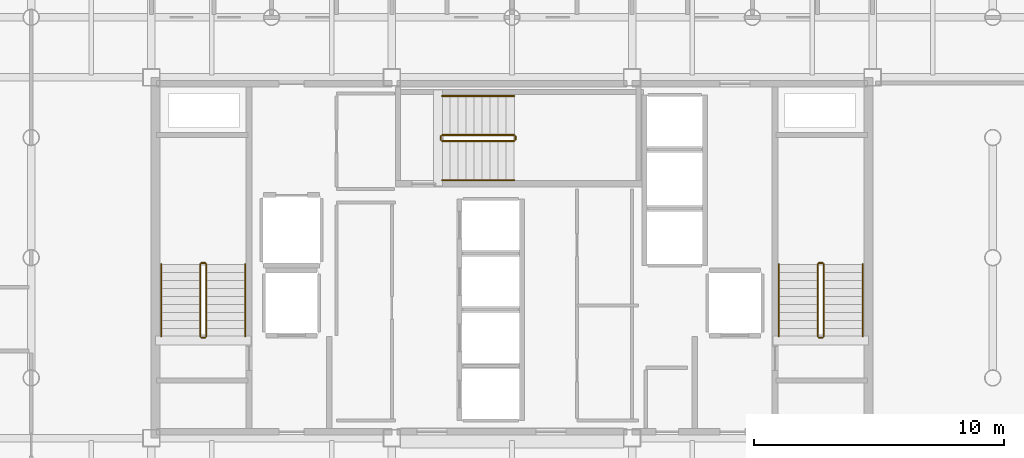
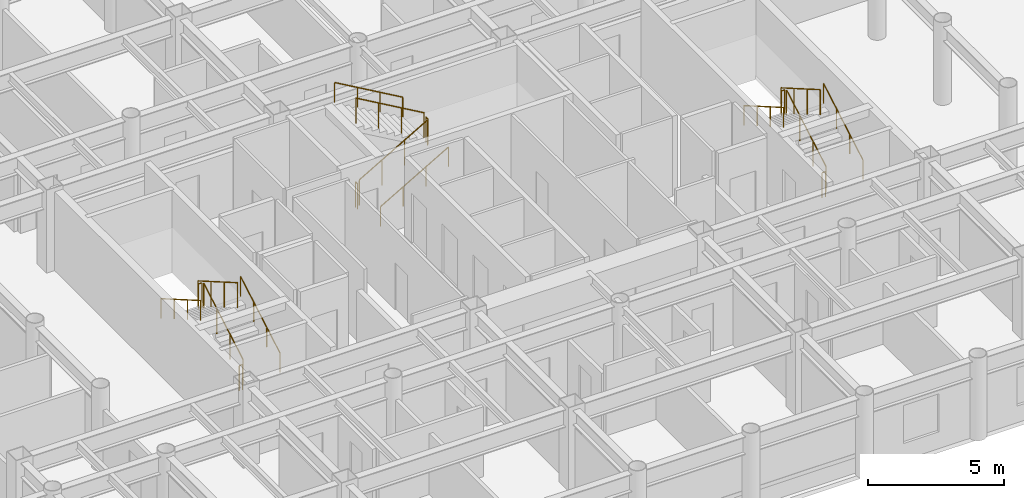
# One storey, part 20 of 20: 18 railings.
"""IFC4 building model written with IfcOpenShell, lengths in metres."""

from ifc_helpers import new_model, si_unit, direction, frame, origin, origin_2d, place, context, subcontext, project, spatial, circle, extrude, material, layer, layer_set, type_object, element, save


model = new_model("IFC4")

# Units and contexts
model_context = context("Model", 3, precision=1e-05, world=origin(), true_north=direction((0.0, 1.0)))
body_context = subcontext(model_context, "Body", "Model", "MODEL_VIEW")
ifc_project = project(units=[si_unit("LENGTHUNIT", "METRE"), si_unit("AREAUNIT", "SQUARE_METRE"), si_unit("VOLUMEUNIT", "CUBIC_METRE"), si_unit("PLANEANGLEUNIT", "RADIAN"), si_unit("MASSUNIT", "GRAM", prefix="KILO")], contexts=[model_context])

# Site, building, storey
site_placement = place(None, origin())
site = spatial("IfcSite", under=ifc_project, at=site_placement, CompositionType="ELEMENT")
building_placement = place(site_placement, origin())
building = spatial("IfcBuilding", under=site, at=building_placement, Name="Kallvorn Hotel Tower", CompositionType="ELEMENT")
storey_placement = place(building_placement, frame((0.0, 0.0, 128.5)))
storey = spatial("IfcBuildingStorey", under=building, at=storey_placement, Name="L31", CompositionType="ELEMENT", Elevation=128.5)

# Railings
ifc_material_1 = material(Name="Brushed stainless-steel tubular railing", Category="steel")
ifc_layer_1 = layer(ifc_material_1, 0.050048828125)
ifc_layer_set_1 = layer_set([ifc_layer_1], Name="RL_STAIR_GUARD")
railing_type_1 = type_object("IfcRailingType", Name="RL_STAIR_GUARD", PredefinedType="GUARDRAIL", material=ifc_layer_set_1)
railing_1_placement = place(storey_placement, frame((-12.2099609375, -3.139892578125, 0.18505859375)))
element("IfcRailing", 1, at=railing_1_placement, inside=storey, type_object=railing_type_1, Name="L31 ST1 stair guard 1", PredefinedType="GUARDRAIL", context=body_context, shape_type="SweptSolid", body=[
    extrude(circle(Radius=0.02392578125, at=origin_2d()), frame((0.0, 0.0, 1.1259765625), z_axis=(0.0, 0.865720918037, 0.500527014328), x_axis=(-1.0, 0.0, 0.0)), (0.0, 0.0, 1.0), 3.32666015625),
    extrude(circle(Radius=0.02099609375, at=origin_2d()), origin(), (0.0, 0.0, 1.0), 1.101806640625),
    extrude(circle(Radius=0.02099609375, at=origin_2d()), frame((0.0, 0.9599609375, 0.554931640625)), (0.0, 0.0, 1.0), 1.101806640625),
    extrude(circle(Radius=0.02099609375, at=origin_2d()), frame((0.0, 1.919921875, 1.110107421875)), (0.0, 0.0, 1.0), 1.101806640625),
    extrude(circle(Radius=0.02099609375, at=origin_2d()), frame((0.0, 2.8798828125, 1.6650390625)), (0.0, 0.0, 1.0), 1.101806640625),
])
railing_2_placement = place(storey_placement, frame((-12.260009765625, -0.2099609375, 1.85009765625)))
element("IfcRailing", 2, at=railing_2_placement, inside=storey, type_object=railing_type_1, Name="L31 ST1 stair guard 2", PredefinedType="GUARDRAIL", context=body_context, shape_type="SweptSolid", body=[
    extrude(circle(Radius=0.02392578125, at=origin_2d()), frame((0.0, 0.0, 1.1259765625), z_axis=(-1.0, 0.0, 0.0), x_axis=(0.0, -1.0, 0.0)), (0.0, 0.0, 1.0), 0.139892578125),
    extrude(circle(Radius=0.02099609375, at=origin_2d()), origin(), (0.0, 0.0, 1.0), 1.101806640625),
    extrude(circle(Radius=0.02099609375, at=origin_2d()), frame((-0.139892578125, 0.0, 0.0)), (0.0, 0.0, 1.0), 1.101806640625),
])
railing_3_placement = place(storey_placement, frame((-12.449951171875, -0.260009765625, 2.034912109375)))
element("IfcRailing", 3, at=railing_3_placement, inside=storey, type_object=railing_type_1, Name="L31 ST1 stair guard 3", PredefinedType="GUARDRAIL", context=body_context, shape_type="SweptSolid", body=[
    extrude(circle(Radius=0.02392578125, at=origin_2d()), frame((0.0, 0.0, 1.1259765625), z_axis=(0.0, -0.865720918037, 0.500527014328), x_axis=(1.0, 0.0, 0.0)), (0.0, 0.0, 1.0), 3.32666015625),
    extrude(circle(Radius=0.02099609375, at=origin_2d()), origin(), (0.0, 0.0, 1.0), 1.101806640625),
    extrude(circle(Radius=0.02099609375, at=origin_2d()), frame((0.0, -0.9599609375, 0.554931640625)), (0.0, 0.0, 1.0), 1.101806640625),
    extrude(circle(Radius=0.02099609375, at=origin_2d()), frame((0.0, -1.919921875, 1.110107421875)), (0.0, 0.0, 1.0), 1.101806640625),
    extrude(circle(Radius=0.02099609375, at=origin_2d()), frame((0.0, -2.8798828125, 1.6650390625)), (0.0, 0.0, 1.0), 1.101806640625),
])
railing_4_placement = place(storey_placement, frame((-12.260009765625, -3.18994140625, 0.0)))
element("IfcRailing", 4, at=railing_4_placement, inside=storey, type_object=railing_type_1, Name="L31 ST1 stair guard 4", PredefinedType="GUARDRAIL", context=body_context, shape_type="SweptSolid", body=[
    extrude(circle(Radius=0.02392578125, at=origin_2d()), frame((0.0, 0.0, 1.1259765625), z_axis=(-1.0, 0.0, 0.0), x_axis=(0.0, -1.0, 0.0)), (0.0, 0.0, 1.0), 0.139892578125),
    extrude(circle(Radius=0.02099609375, at=origin_2d()), origin(), (0.0, 0.0, 1.0), 1.101806640625),
    extrude(circle(Radius=0.02099609375, at=origin_2d()), frame((-0.139892578125, 0.0, 0.0)), (0.0, 0.0, 1.0), 1.101806640625),
])
railing_5_placement = place(storey_placement, frame((12.449951171875, -3.139892578125, 0.18505859375)))
element("IfcRailing", 5, at=railing_5_placement, inside=storey, type_object=railing_type_1, Name="L31 ST2 stair guard 1", PredefinedType="GUARDRAIL", context=body_context, shape_type="SweptSolid", body=[
    extrude(circle(Radius=0.02392578125, at=origin_2d()), frame((0.0, 0.0, 1.1259765625), z_axis=(0.0, 0.865720918037, 0.500527014328), x_axis=(-1.0, 0.0, 0.0)), (0.0, 0.0, 1.0), 3.32666015625),
    extrude(circle(Radius=0.02099609375, at=origin_2d()), origin(), (0.0, 0.0, 1.0), 1.101806640625),
    extrude(circle(Radius=0.02099609375, at=origin_2d()), frame((0.0, 0.9599609375, 0.554931640625)), (0.0, 0.0, 1.0), 1.101806640625),
    extrude(circle(Radius=0.02099609375, at=origin_2d()), frame((0.0, 1.919921875, 1.110107421875)), (0.0, 0.0, 1.0), 1.101806640625),
    extrude(circle(Radius=0.02099609375, at=origin_2d()), frame((0.0, 2.8798828125, 1.6650390625)), (0.0, 0.0, 1.0), 1.101806640625),
])
railing_6_placement = place(storey_placement, frame((12.39990234375, -0.2099609375, 1.85009765625)))
element("IfcRailing", 6, at=railing_6_placement, inside=storey, type_object=railing_type_1, Name="L31 ST2 stair guard 2", PredefinedType="GUARDRAIL", context=body_context, shape_type="SweptSolid", body=[
    extrude(circle(Radius=0.02392578125, at=origin_2d()), frame((0.0, 0.0, 1.1259765625), z_axis=(-1.0, 0.0, 0.0), x_axis=(0.0, -1.0, 0.0)), (0.0, 0.0, 1.0), 0.139892578125),
    extrude(circle(Radius=0.02099609375, at=origin_2d()), origin(), (0.0, 0.0, 1.0), 1.101806640625),
    extrude(circle(Radius=0.02099609375, at=origin_2d()), frame((-0.139892578125, 0.0, 0.0)), (0.0, 0.0, 1.0), 1.101806640625),
])
railing_7_placement = place(storey_placement, frame((12.2099609375, -0.260009765625, 2.034912109375)))
element("IfcRailing", 7, at=railing_7_placement, inside=storey, type_object=railing_type_1, Name="L31 ST2 stair guard 3", PredefinedType="GUARDRAIL", context=body_context, shape_type="SweptSolid", body=[
    extrude(circle(Radius=0.02392578125, at=origin_2d()), frame((0.0, 0.0, 1.1259765625), z_axis=(0.0, -0.865720918037, 0.500527014328), x_axis=(1.0, 0.0, 0.0)), (0.0, 0.0, 1.0), 3.32666015625),
    extrude(circle(Radius=0.02099609375, at=origin_2d()), origin(), (0.0, 0.0, 1.0), 1.101806640625),
    extrude(circle(Radius=0.02099609375, at=origin_2d()), frame((0.0, -0.9599609375, 0.554931640625)), (0.0, 0.0, 1.0), 1.101806640625),
    extrude(circle(Radius=0.02099609375, at=origin_2d()), frame((0.0, -1.919921875, 1.110107421875)), (0.0, 0.0, 1.0), 1.101806640625),
    extrude(circle(Radius=0.02099609375, at=origin_2d()), frame((0.0, -2.8798828125, 1.6650390625)), (0.0, 0.0, 1.0), 1.101806640625),
])
railing_8_placement = place(storey_placement, frame((12.39990234375, -3.18994140625, 0.0)))
element("IfcRailing", 8, at=railing_8_placement, inside=storey, type_object=railing_type_1, Name="L31 ST2 stair guard 4", PredefinedType="GUARDRAIL", context=body_context, shape_type="SweptSolid", body=[
    extrude(circle(Radius=0.02392578125, at=origin_2d()), frame((0.0, 0.0, 1.1259765625), z_axis=(-1.0, 0.0, 0.0), x_axis=(0.0, -1.0, 0.0)), (0.0, 0.0, 1.0), 0.139892578125),
    extrude(circle(Radius=0.02099609375, at=origin_2d()), origin(), (0.0, 0.0, 1.0), 1.101806640625),
    extrude(circle(Radius=0.02099609375, at=origin_2d()), frame((-0.139892578125, 0.0, 0.0)), (0.0, 0.0, 1.0), 1.101806640625),
])
railing_9_placement = place(storey_placement, frame((-2.7900390625, 4.659912109375, 0.18505859375)))
element("IfcRailing", 9, at=railing_9_placement, inside=storey, type_object=railing_type_1, Name="L31 ST3 stair guard 1", PredefinedType="GUARDRAIL", context=body_context, shape_type="SweptSolid", body=[
    extrude(circle(Radius=0.02392578125, at=origin_2d()), frame((0.0, 0.0, 1.1259765625), z_axis=(0.865739302748, 0.0, 0.50049521444), x_axis=(0.0, 1.0, 0.0)), (0.0, 0.0, 1.0), 3.326904296875),
    extrude(circle(Radius=0.02099609375, at=origin_2d()), origin(), (0.0, 0.0, 1.0), 1.101806640625),
    extrude(circle(Radius=0.02099609375, at=origin_2d()), frame((0.9599609375, 0.0, 0.554931640625)), (0.0, 0.0, 1.0), 1.101806640625),
    extrude(circle(Radius=0.02099609375, at=origin_2d()), frame((1.920166015625, 0.0, 1.110107421875)), (0.0, 0.0, 1.0), 1.101806640625),
    extrude(circle(Radius=0.02099609375, at=origin_2d()), frame((2.880126953125, 0.0, 1.6650390625)), (0.0, 0.0, 1.0), 1.101806640625),
])
railing_10_placement = place(storey_placement, frame((0.139892578125, 4.7099609375, 1.85009765625)))
element("IfcRailing", 10, at=railing_10_placement, inside=storey, type_object=railing_type_1, Name="L31 ST3 stair guard 2", PredefinedType="GUARDRAIL", context=body_context, shape_type="SweptSolid", body=[
    extrude(circle(Radius=0.02392578125, at=origin_2d()), frame((0.0, 0.0, 1.1259765625), z_axis=(0.0, 1.0, 0.0), x_axis=(-1.0, 0.0, 0.0)), (0.0, 0.0, 1.0), 0.14013671875),
    extrude(circle(Radius=0.02099609375, at=origin_2d()), origin(), (0.0, 0.0, 1.0), 1.101806640625),
    extrude(circle(Radius=0.02099609375, at=origin_2d()), frame((0.0, 0.14013671875, 0.0)), (0.0, 0.0, 1.0), 1.101806640625),
])
railing_11_placement = place(storey_placement, frame((0.090087890625, 4.89990234375, 2.034912109375)))
element("IfcRailing", 11, at=railing_11_placement, inside=storey, type_object=railing_type_1, Name="L31 ST3 stair guard 3", PredefinedType="GUARDRAIL", context=body_context, shape_type="SweptSolid", body=[
    extrude(circle(Radius=0.02392578125, at=origin_2d()), frame((0.0, 0.0, 1.1259765625), z_axis=(-0.865739302748, 0.0, 0.50049521444), x_axis=(0.0, -1.0, 0.0)), (0.0, 0.0, 1.0), 3.326904296875),
    extrude(circle(Radius=0.02099609375, at=origin_2d()), origin(), (0.0, 0.0, 1.0), 1.101806640625),
    extrude(circle(Radius=0.02099609375, at=origin_2d()), frame((-0.9599609375, 0.0, 0.554931640625)), (0.0, 0.0, 1.0), 1.101806640625),
    extrude(circle(Radius=0.02099609375, at=origin_2d()), frame((-1.920166015625, 0.0, 1.110107421875)), (0.0, 0.0, 1.0), 1.101806640625),
    extrude(circle(Radius=0.02099609375, at=origin_2d()), frame((-2.880126953125, 0.0, 1.6650390625)), (0.0, 0.0, 1.0), 1.101806640625),
])
railing_12_placement = place(storey_placement, frame((-2.840087890625, 4.7099609375, 0.0)))
element("IfcRailing", 12, at=railing_12_placement, inside=storey, type_object=railing_type_1, Name="L31 ST3 stair guard 4", PredefinedType="GUARDRAIL", context=body_context, shape_type="SweptSolid", body=[
    extrude(circle(Radius=0.02392578125, at=origin_2d()), frame((0.0, 0.0, 1.1259765625), z_axis=(0.0, 1.0, 0.0), x_axis=(-1.0, 0.0, 0.0)), (0.0, 0.0, 1.0), 0.14013671875),
    extrude(circle(Radius=0.02099609375, at=origin_2d()), origin(), (0.0, 0.0, 1.0), 1.101806640625),
    extrude(circle(Radius=0.02099609375, at=origin_2d()), frame((0.0, 0.14013671875, 0.0)), (0.0, 0.0, 1.0), 1.101806640625),
])
ifc_material_2 = material(Name="Brushed stainless-steel tubular railing", Category="steel")
ifc_layer_2 = layer(ifc_material_2, 0.050048828125)
ifc_layer_set_2 = layer_set([ifc_layer_2], Name="RL_STAIR_HAND")
railing_type_2 = type_object("IfcRailingType", Name="RL_STAIR_HAND", PredefinedType="HANDRAIL", material=ifc_layer_set_2)
railing_13_placement = place(storey_placement, frame((-10.64990234375, -3.139892578125, 0.18505859375)))
element("IfcRailing", 13, at=railing_13_placement, inside=storey, type_object=railing_type_2, Name="L31 ST1 stair handrail 1", PredefinedType="HANDRAIL", context=body_context, shape_type="SweptSolid", body=[
    extrude(circle(Radius=0.02392578125, at=origin_2d()), frame((0.0, 0.0, 0.8759765625), z_axis=(0.0, 0.865720918037, 0.500527014328), x_axis=(-1.0, 0.0, 0.0)), (0.0, 0.0, 1.0), 3.32666015625),
    extrude(circle(Radius=0.02099609375, at=origin_2d()), origin(), (0.0, 0.0, 1.0), 0.851806640625),
    extrude(circle(Radius=0.02099609375, at=origin_2d()), frame((0.0, 0.9599609375, 0.554931640625)), (0.0, 0.0, 1.0), 0.851806640625),
    extrude(circle(Radius=0.02099609375, at=origin_2d()), frame((0.0, 1.919921875, 1.110107421875)), (0.0, 0.0, 1.0), 0.851806640625),
    extrude(circle(Radius=0.02099609375, at=origin_2d()), frame((0.0, 2.8798828125, 1.6650390625)), (0.0, 0.0, 1.0), 0.851806640625),
])
railing_14_placement = place(storey_placement, frame((-14.010009765625, -0.260009765625, 2.034912109375)))
element("IfcRailing", 14, at=railing_14_placement, inside=storey, type_object=railing_type_2, Name="L31 ST1 stair handrail 2", PredefinedType="HANDRAIL", context=body_context, shape_type="SweptSolid", body=[
    extrude(circle(Radius=0.02392578125, at=origin_2d()), frame((0.0, 0.0, 0.8759765625), z_axis=(0.0, -0.865720918037, 0.500527014328), x_axis=(1.0, 0.0, 0.0)), (0.0, 0.0, 1.0), 3.32666015625),
    extrude(circle(Radius=0.02099609375, at=origin_2d()), origin(), (0.0, 0.0, 1.0), 0.851806640625),
    extrude(circle(Radius=0.02099609375, at=origin_2d()), frame((0.0, -0.9599609375, 0.554931640625)), (0.0, 0.0, 1.0), 0.851806640625),
    extrude(circle(Radius=0.02099609375, at=origin_2d()), frame((0.0, -1.919921875, 1.110107421875)), (0.0, 0.0, 1.0), 0.851806640625),
    extrude(circle(Radius=0.02099609375, at=origin_2d()), frame((0.0, -2.8798828125, 1.6650390625)), (0.0, 0.0, 1.0), 0.851806640625),
])
railing_15_placement = place(storey_placement, frame((14.010009765625, -3.139892578125, 0.18505859375)))
element("IfcRailing", 15, at=railing_15_placement, inside=storey, type_object=railing_type_2, Name="L31 ST2 stair handrail 1", PredefinedType="HANDRAIL", context=body_context, shape_type="SweptSolid", body=[
    extrude(circle(Radius=0.02392578125, at=origin_2d()), frame((0.0, 0.0, 0.8759765625), z_axis=(0.0, 0.865720918037, 0.500527014328), x_axis=(-1.0, 0.0, 0.0)), (0.0, 0.0, 1.0), 3.32666015625),
    extrude(circle(Radius=0.02099609375, at=origin_2d()), origin(), (0.0, 0.0, 1.0), 0.851806640625),
    extrude(circle(Radius=0.02099609375, at=origin_2d()), frame((0.0, 0.9599609375, 0.554931640625)), (0.0, 0.0, 1.0), 0.851806640625),
    extrude(circle(Radius=0.02099609375, at=origin_2d()), frame((0.0, 1.919921875, 1.110107421875)), (0.0, 0.0, 1.0), 0.851806640625),
    extrude(circle(Radius=0.02099609375, at=origin_2d()), frame((0.0, 2.8798828125, 1.6650390625)), (0.0, 0.0, 1.0), 0.851806640625),
])
railing_16_placement = place(storey_placement, frame((10.64990234375, -0.260009765625, 2.034912109375)))
element("IfcRailing", 16, at=railing_16_placement, inside=storey, type_object=railing_type_2, Name="L31 ST2 stair handrail 2", PredefinedType="HANDRAIL", context=body_context, shape_type="SweptSolid", body=[
    extrude(circle(Radius=0.02392578125, at=origin_2d()), frame((0.0, 0.0, 0.8759765625), z_axis=(0.0, -0.865720918037, 0.500527014328), x_axis=(1.0, 0.0, 0.0)), (0.0, 0.0, 1.0), 3.32666015625),
    extrude(circle(Radius=0.02099609375, at=origin_2d()), origin(), (0.0, 0.0, 1.0), 0.851806640625),
    extrude(circle(Radius=0.02099609375, at=origin_2d()), frame((0.0, -0.9599609375, 0.554931640625)), (0.0, 0.0, 1.0), 0.851806640625),
    extrude(circle(Radius=0.02099609375, at=origin_2d()), frame((0.0, -1.919921875, 1.110107421875)), (0.0, 0.0, 1.0), 0.851806640625),
    extrude(circle(Radius=0.02099609375, at=origin_2d()), frame((0.0, -2.8798828125, 1.6650390625)), (0.0, 0.0, 1.0), 0.851806640625),
])
railing_17_placement = place(storey_placement, frame((-2.7900390625, 3.10009765625, 0.18505859375)))
element("IfcRailing", 17, at=railing_17_placement, inside=storey, type_object=railing_type_2, Name="L31 ST3 stair handrail 1", PredefinedType="HANDRAIL", context=body_context, shape_type="SweptSolid", body=[
    extrude(circle(Radius=0.02392578125, at=origin_2d()), frame((0.0, 0.0, 0.8759765625), z_axis=(0.865739302748, 0.0, 0.50049521444), x_axis=(0.0, 1.0, 0.0)), (0.0, 0.0, 1.0), 3.326904296875),
    extrude(circle(Radius=0.02099609375, at=origin_2d()), origin(), (0.0, 0.0, 1.0), 0.851806640625),
    extrude(circle(Radius=0.02099609375, at=origin_2d()), frame((0.9599609375, 0.0, 0.554931640625)), (0.0, 0.0, 1.0), 0.851806640625),
    extrude(circle(Radius=0.02099609375, at=origin_2d()), frame((1.920166015625, 0.0, 1.110107421875)), (0.0, 0.0, 1.0), 0.851806640625),
    extrude(circle(Radius=0.02099609375, at=origin_2d()), frame((2.880126953125, 0.0, 1.6650390625)), (0.0, 0.0, 1.0), 0.851806640625),
])
railing_18_placement = place(storey_placement, frame((0.090087890625, 6.4599609375, 2.034912109375)))
element("IfcRailing", 18, at=railing_18_placement, inside=storey, type_object=railing_type_2, Name="L31 ST3 stair handrail 2", PredefinedType="HANDRAIL", context=body_context, shape_type="SweptSolid", body=[
    extrude(circle(Radius=0.02392578125, at=origin_2d()), frame((0.0, 0.0, 0.8759765625), z_axis=(-0.865739302748, 0.0, 0.50049521444), x_axis=(0.0, -1.0, 0.0)), (0.0, 0.0, 1.0), 3.326904296875),
    extrude(circle(Radius=0.02099609375, at=origin_2d()), origin(), (0.0, 0.0, 1.0), 0.851806640625),
    extrude(circle(Radius=0.02099609375, at=origin_2d()), frame((-0.9599609375, 0.0, 0.554931640625)), (0.0, 0.0, 1.0), 0.851806640625),
    extrude(circle(Radius=0.02099609375, at=origin_2d()), frame((-1.920166015625, 0.0, 1.110107421875)), (0.0, 0.0, 1.0), 0.851806640625),
    extrude(circle(Radius=0.02099609375, at=origin_2d()), frame((-2.880126953125, 0.0, 1.6650390625)), (0.0, 0.0, 1.0), 0.851806640625),
])

save(model, "model.ifc")
